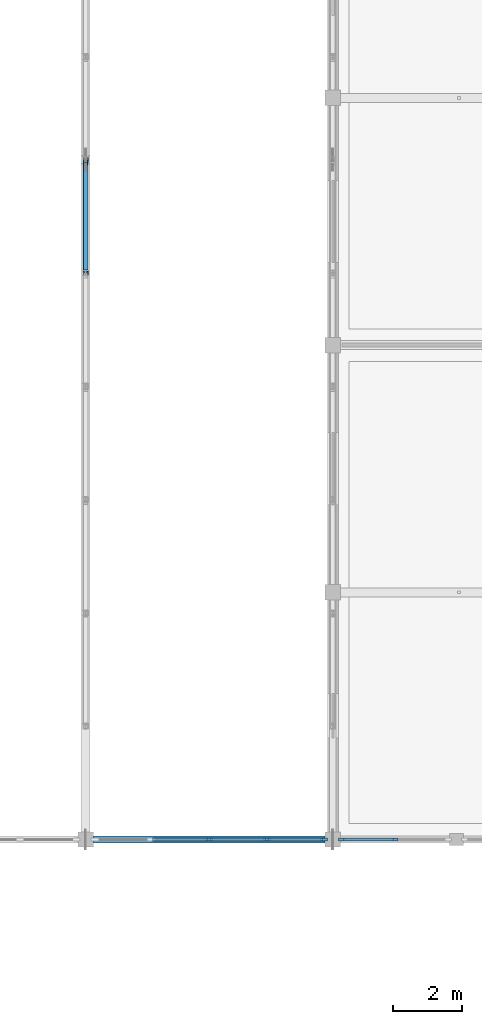
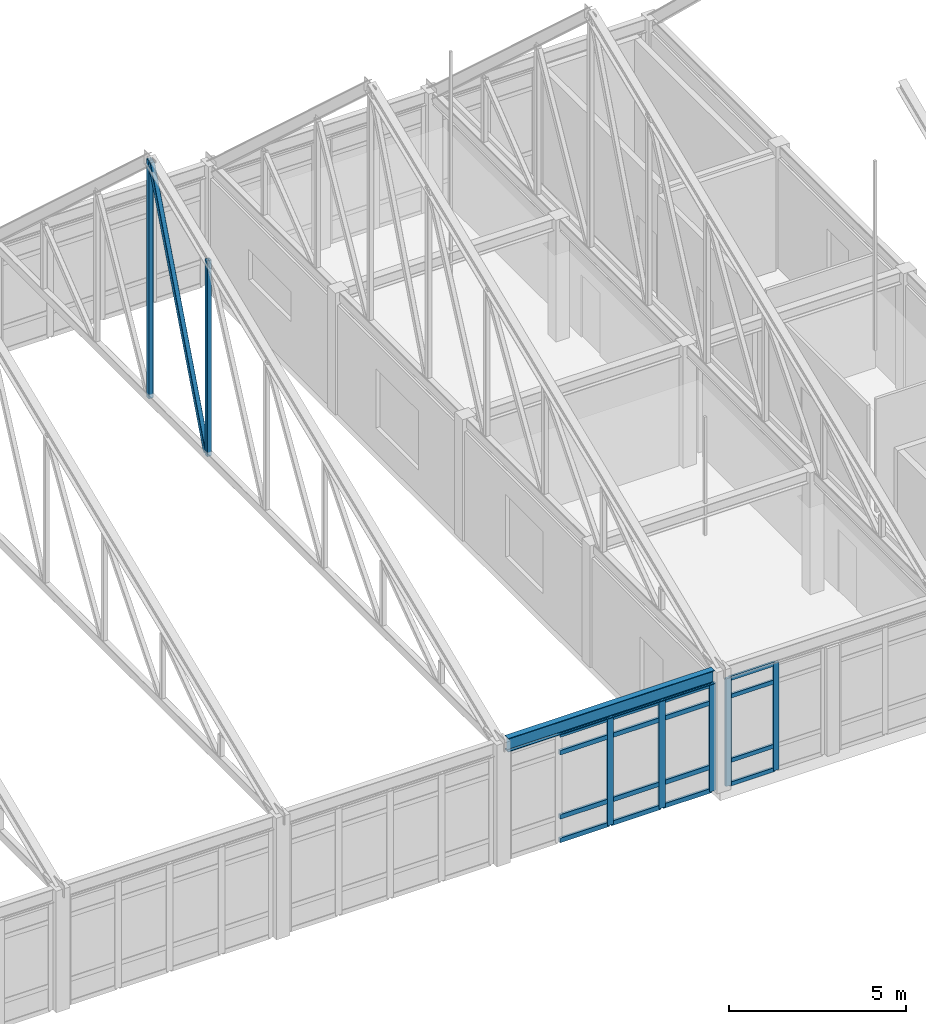
# One storey, part 30 of 136: 24 members, 1 beam, 2 elements without a shape of their own.
"""IFC4 building model written with IfcOpenShell, lengths in metres."""

from ifc_helpers import new_model, si_unit, direction, frame, origin, origin_2d, place, context, subcontext, project, spatial, rectangle, hollow_rectangle, i_section, extrude, material, layer, layer_set, material_profile, profile_set, type_object, element, aggregate, save


model = new_model("IFC4")

# Units and contexts
model_context = context("Model", 3, precision=1e-05, world=origin(), true_north=direction((0.0, 1.0)))
body_context = subcontext(model_context, "Body", "Model", "MODEL_VIEW")
ifc_project = project(units=[si_unit("LENGTHUNIT", "METRE"), si_unit("AREAUNIT", "SQUARE_METRE"), si_unit("VOLUMEUNIT", "CUBIC_METRE"), si_unit("PLANEANGLEUNIT", "RADIAN"), si_unit("MASSUNIT", "GRAM", prefix="KILO")], contexts=[model_context])

# Site, building, storey
site_placement = place(None, origin())
site = spatial("IfcSite", under=ifc_project, at=site_placement, CompositionType="ELEMENT")
building_placement = place(site_placement, origin())
building = spatial("IfcBuilding", under=site, at=building_placement, Name="Koriwan Promenade Central Fire Station", CompositionType="ELEMENT")
storey_placement = place(building_placement, frame((0.0, 0.0, 5.39990234375)))
storey = spatial("IfcBuildingStorey", under=building, at=storey_placement, Name="L01", CompositionType="ELEMENT", Elevation=5.39990234375)

# Curtain wall, members
ifc_material_1 = material(Name="Aluminium EN AW-6063-T6 and low-E glazing", Category="aluminium")
ifc_layer_1 = layer(ifc_material_1, 0.159912109375, Name="Aluminium EN AW-6063-T6 and low-E glazing")
ifc_layer_set_1 = layer_set([ifc_layer_1], Name="Aluminium EN AW-6063-T6 and low-E glazing")
curtain_wall_type_1 = type_object("IfcCurtainWallType", Name="CurtainWall_01_317x372", PredefinedType="USERDEFINED", material=ifc_layer_set_1)
curtain_wall_1_placement = place(storey_placement, origin())
curtain_wall_1 = element("IfcCurtainWall", 1, at=curtain_wall_1_placement, inside=storey, type_object=curtain_wall_type_1, Name="V1 L01 unitised curtain wall 012", ObjectType="UNITISED CURTAIN WALL", PredefinedType="USERDEFINED")
ifc_material_2 = material(Name="Aluminium EN AW-6063-T6", Category="aluminium")
ifc_material_profile_1 = material_profile(ifc_material_2, rectangle(XDim=0.074951171875, YDim=0.179931640625, at=origin_2d()), Name="ALU-MUL-75x180")
ifc_profile_set_1 = profile_set([ifc_material_profile_1], Name="Aluminium EN AW-6063-T6")
member_type_1 = type_object("IfcMemberType", Name="CWMullion_ALU-MUL-75x180", PredefinedType="MULLION", material=ifc_profile_set_1)
member_1_placement = place(storey_placement, frame((102.612548828125, 43.199951171875, 0.0), z_axis=(0.0, 0.0, 1.0), x_axis=(0.0, -1.0, 0.0)))
member_1 = element("IfcMember", 2, at=member_1_placement, type_object=member_type_1, Name="CW-01 mullion 2", PredefinedType="MULLION", context=body_context, shape_type="SweptSolid", body=[
    extrude(rectangle(XDim=0.074951171875, YDim=0.179931640625, at=origin_2d()), origin(), (0.0, 0.0, 1.0), 3.72119140625),
])
member_2_placement = place(storey_placement, frame((101.0625, 43.199951171875, 0.0), z_axis=(0.0, 0.0, 1.0), x_axis=(0.0, -1.0, 0.0)))
member_2 = element("IfcMember", 3, at=member_2_placement, type_object=member_type_1, Name="CW-01 mullion 3", PredefinedType="MULLION", context=body_context, shape_type="SweptSolid", body=[
    extrude(rectangle(XDim=0.074951171875, YDim=0.179931640625, at=origin_2d()), origin(), (0.0, 0.0, 1.0), 3.72119140625),
])

ifc_layer_2 = layer(ifc_material_1, 0.159912109375, Name="Aluminium EN AW-6063-T6 and low-E glazing")
ifc_layer_set_2 = layer_set([ifc_layer_2], Name="Aluminium EN AW-6063-T6 and low-E glazing")
curtain_wall_type_2 = type_object("IfcCurtainWallType", Name="CurtainWall_93_675x372", PredefinedType="USERDEFINED", material=ifc_layer_set_2)
curtain_wall_2_placement = place(storey_placement, origin())
curtain_wall_2 = element("IfcCurtainWall", 4, at=curtain_wall_2_placement, inside=storey, type_object=curtain_wall_type_2, Name="V1 L01 unitised curtain wall 297", ObjectType="UNITISED CURTAIN WALL", PredefinedType="USERDEFINED")
ifc_material_profile_2 = material_profile(ifc_material_2, rectangle(XDim=0.080078125, YDim=0.2099609375, at=origin_2d()), Name="ALU-MUL-80x210")
ifc_profile_set_2 = profile_set([ifc_material_profile_2], Name="Aluminium EN AW-6063-T6")
member_type_2 = type_object("IfcMemberType", Name="CWMullion_ALU-MUL-80x210", PredefinedType="MULLION", material=ifc_profile_set_2)
member_3_placement = place(storey_placement, frame((97.199951171875, 43.199951171875, 0.0), z_axis=(0.0, 0.0, 1.0), x_axis=(0.0, 1.0, 0.0)))
member_3 = element("IfcMember", 5, at=member_3_placement, type_object=member_type_2, Name="CW-93 mullion 3", PredefinedType="MULLION", context=body_context, shape_type="SweptSolid", body=[
    extrude(rectangle(XDim=0.080078125, YDim=0.2099609375, at=origin_2d()), origin(), (0.0, 0.0, 1.0), 3.72119140625),
])
member_4_placement = place(storey_placement, frame((98.887451171875, 43.199951171875, 0.0), z_axis=(0.0, 0.0, 1.0), x_axis=(0.0, 1.0, 0.0)))
member_4 = element("IfcMember", 6, at=member_4_placement, type_object=member_type_2, Name="CW-93 mullion 4", PredefinedType="MULLION", context=body_context, shape_type="SweptSolid", body=[
    extrude(rectangle(XDim=0.080078125, YDim=0.2099609375, at=origin_2d()), origin(), (0.0, 0.0, 1.0), 3.72119140625),
])
member_5_placement = place(storey_placement, frame((100.534912109375, 43.199951171875, 0.0), z_axis=(0.0, 0.0, 1.0), x_axis=(0.0, 1.0, 0.0)))
member_5 = element("IfcMember", 7, at=member_5_placement, type_object=member_type_2, Name="CW-93 mullion 5", PredefinedType="MULLION", context=body_context, shape_type="SweptSolid", body=[
    extrude(rectangle(XDim=0.080078125, YDim=0.2099609375, at=origin_2d()), origin(), (0.0, 0.0, 1.0), 3.72119140625),
])

# Member
ifc_material_profile_3 = material_profile(ifc_material_2, rectangle(XDim=0.074951171875, YDim=0.139892578125, at=origin_2d()), Name="ALU-TRN-75x140")
ifc_profile_set_3 = profile_set([ifc_material_profile_3], Name="Aluminium EN AW-6063-T6")
member_type_3 = type_object("IfcMemberType", Name="CWTransom_ALU-TRN-75x140", PredefinedType="USERDEFINED", material=ifc_profile_set_3)
member_6_placement = place(storey_placement, frame((102.574951171875, 43.199951171875, 0.03759765625), z_axis=(-1.0, 0.0, 0.0), x_axis=(0.0, -1.0, 0.0)))
member_6 = element("IfcMember", 8, at=member_6_placement, type_object=member_type_3, Name="CW-01 transom 2.1", ObjectType="TRANSOM", PredefinedType="USERDEFINED", context=body_context, shape_type="SweptSolid", body=[
    extrude(rectangle(XDim=0.074951171875, YDim=0.139892578125, at=origin_2d()), origin(), (0.0, 0.0, 1.0), 1.474853515625),
])

member_7_placement = place(storey_placement, frame((102.574951171875, 43.199951171875, 0.85009765625), z_axis=(-1.0, 0.0, 0.0), x_axis=(0.0, -1.0, 0.0)))
member_7 = element("IfcMember", 9, at=member_7_placement, type_object=member_type_3, Name="CW-01 transom 2.2", ObjectType="TRANSOM", PredefinedType="USERDEFINED", context=body_context, shape_type="SweptSolid", body=[
    extrude(rectangle(XDim=0.074951171875, YDim=0.139892578125, at=origin_2d()), origin(), (0.0, 0.0, 1.0), 1.474853515625),
])

member_8_placement = place(storey_placement, frame((102.574951171875, 43.199951171875, 3.071044921875), z_axis=(-1.0, 0.0, 0.0), x_axis=(0.0, -1.0, 0.0)))
member_8 = element("IfcMember", 10, at=member_8_placement, type_object=member_type_3, Name="CW-01 transom 2.3", ObjectType="TRANSOM", PredefinedType="USERDEFINED", context=body_context, shape_type="SweptSolid", body=[
    extrude(rectangle(XDim=0.074951171875, YDim=0.139892578125, at=origin_2d()), origin(), (0.0, 0.0, 1.0), 1.474853515625),
])

member_9_placement = place(storey_placement, frame((102.574951171875, 43.199951171875, 3.68359375), z_axis=(-1.0, 0.0, 0.0), x_axis=(0.0, -1.0, 0.0)))
member_9 = element("IfcMember", 11, at=member_9_placement, type_object=member_type_3, Name="CW-01 transom 2.4", ObjectType="TRANSOM", PredefinedType="USERDEFINED", context=body_context, shape_type="SweptSolid", body=[
    extrude(rectangle(XDim=0.074951171875, YDim=0.139892578125, at=origin_2d()), origin(), (0.0, 0.0, 1.0), 1.474853515625),
])

aggregate(curtain_wall_1, [member_1, member_2, member_6, member_7, member_8, member_9])

ifc_material_profile_4 = material_profile(ifc_material_2, rectangle(XDim=0.080078125, YDim=0.155029296875, at=origin_2d()), Name="ALU-TRN-80x155")
ifc_profile_set_4 = profile_set([ifc_material_profile_4], Name="Aluminium EN AW-6063-T6")
member_type_4 = type_object("IfcMemberType", Name="CWTransom_ALU-TRN-80x155", PredefinedType="USERDEFINED", material=ifc_profile_set_4)
member_10_placement = place(storey_placement, frame((95.552490234375, 43.199951171875, 0.0400390625), z_axis=(1.0, 0.0, 0.0), x_axis=(0.0, 1.0, 0.0)))
member_10 = element("IfcMember", 12, at=member_10_placement, type_object=member_type_4, Name="CW-93 transom 2.1", ObjectType="TRANSOM", PredefinedType="USERDEFINED", context=body_context, shape_type="SweptSolid", body=[
    extrude(rectangle(XDim=0.080078125, YDim=0.155029296875, at=origin_2d()), origin(), (0.0, 0.0, 1.0), 1.607421875),
])

member_11_placement = place(storey_placement, frame((95.552490234375, 43.199951171875, 0.85009765625), z_axis=(1.0, 0.0, 0.0), x_axis=(0.0, 1.0, 0.0)))
member_11 = element("IfcMember", 13, at=member_11_placement, type_object=member_type_4, Name="CW-93 transom 2.2", ObjectType="TRANSOM", PredefinedType="USERDEFINED", context=body_context, shape_type="SweptSolid", body=[
    extrude(rectangle(XDim=0.080078125, YDim=0.155029296875, at=origin_2d()), origin(), (0.0, 0.0, 1.0), 1.607421875),
])

member_12_placement = place(storey_placement, frame((95.552490234375, 43.199951171875, 3.071044921875), z_axis=(1.0, 0.0, 0.0), x_axis=(0.0, 1.0, 0.0)))
member_12 = element("IfcMember", 14, at=member_12_placement, type_object=member_type_4, Name="CW-93 transom 2.3", ObjectType="TRANSOM", PredefinedType="USERDEFINED", context=body_context, shape_type="SweptSolid", body=[
    extrude(rectangle(XDim=0.080078125, YDim=0.155029296875, at=origin_2d()), origin(), (0.0, 0.0, 1.0), 1.607421875),
])

member_13_placement = place(storey_placement, frame((95.552490234375, 43.199951171875, 3.68115234375), z_axis=(1.0, 0.0, 0.0), x_axis=(0.0, 1.0, 0.0)))
member_13 = element("IfcMember", 15, at=member_13_placement, type_object=member_type_4, Name="CW-93 transom 2.4", ObjectType="TRANSOM", PredefinedType="USERDEFINED", context=body_context, shape_type="SweptSolid", body=[
    extrude(rectangle(XDim=0.080078125, YDim=0.155029296875, at=origin_2d()), origin(), (0.0, 0.0, 1.0), 1.607421875),
])

member_14_placement = place(storey_placement, frame((97.239990234375, 43.199951171875, 0.0400390625), z_axis=(1.0, 0.0, 0.0), x_axis=(0.0, 1.0, 0.0)))
member_14 = element("IfcMember", 16, at=member_14_placement, type_object=member_type_4, Name="CW-93 transom 3.1", ObjectType="TRANSOM", PredefinedType="USERDEFINED", context=body_context, shape_type="SweptSolid", body=[
    extrude(rectangle(XDim=0.080078125, YDim=0.155029296875, at=origin_2d()), origin(), (0.0, 0.0, 1.0), 1.607421875),
])

member_15_placement = place(storey_placement, frame((97.239990234375, 43.199951171875, 0.85009765625), z_axis=(1.0, 0.0, 0.0), x_axis=(0.0, 1.0, 0.0)))
member_15 = element("IfcMember", 17, at=member_15_placement, type_object=member_type_4, Name="CW-93 transom 3.2", ObjectType="TRANSOM", PredefinedType="USERDEFINED", context=body_context, shape_type="SweptSolid", body=[
    extrude(rectangle(XDim=0.080078125, YDim=0.155029296875, at=origin_2d()), origin(), (0.0, 0.0, 1.0), 1.607421875),
])

member_16_placement = place(storey_placement, frame((97.239990234375, 43.199951171875, 3.071044921875), z_axis=(1.0, 0.0, 0.0), x_axis=(0.0, 1.0, 0.0)))
member_16 = element("IfcMember", 18, at=member_16_placement, type_object=member_type_4, Name="CW-93 transom 3.3", ObjectType="TRANSOM", PredefinedType="USERDEFINED", context=body_context, shape_type="SweptSolid", body=[
    extrude(rectangle(XDim=0.080078125, YDim=0.155029296875, at=origin_2d()), origin(), (0.0, 0.0, 1.0), 1.607421875),
])

member_17_placement = place(storey_placement, frame((97.239990234375, 43.199951171875, 3.68115234375), z_axis=(1.0, 0.0, 0.0), x_axis=(0.0, 1.0, 0.0)))
member_17 = element("IfcMember", 19, at=member_17_placement, type_object=member_type_4, Name="CW-93 transom 3.4", ObjectType="TRANSOM", PredefinedType="USERDEFINED", context=body_context, shape_type="SweptSolid", body=[
    extrude(rectangle(XDim=0.080078125, YDim=0.155029296875, at=origin_2d()), origin(), (0.0, 0.0, 1.0), 1.607421875),
])

member_18_placement = place(storey_placement, frame((98.927490234375, 43.199951171875, 0.0400390625), z_axis=(1.0, 0.0, 0.0), x_axis=(0.0, 1.0, 0.0)))
member_18 = element("IfcMember", 20, at=member_18_placement, type_object=member_type_4, Name="CW-93 transom 4.1", ObjectType="TRANSOM", PredefinedType="USERDEFINED", context=body_context, shape_type="SweptSolid", body=[
    extrude(rectangle(XDim=0.080078125, YDim=0.155029296875, at=origin_2d()), origin(), (0.0, 0.0, 1.0), 1.567626953125),
])

member_19_placement = place(storey_placement, frame((98.927490234375, 43.199951171875, 0.85009765625), z_axis=(1.0, 0.0, 0.0), x_axis=(0.0, 1.0, 0.0)))
member_19 = element("IfcMember", 21, at=member_19_placement, type_object=member_type_4, Name="CW-93 transom 4.2", ObjectType="TRANSOM", PredefinedType="USERDEFINED", context=body_context, shape_type="SweptSolid", body=[
    extrude(rectangle(XDim=0.080078125, YDim=0.155029296875, at=origin_2d()), origin(), (0.0, 0.0, 1.0), 1.567626953125),
])

member_20_placement = place(storey_placement, frame((98.927490234375, 43.199951171875, 3.071044921875), z_axis=(1.0, 0.0, 0.0), x_axis=(0.0, 1.0, 0.0)))
member_20 = element("IfcMember", 22, at=member_20_placement, type_object=member_type_4, Name="CW-93 transom 4.3", ObjectType="TRANSOM", PredefinedType="USERDEFINED", context=body_context, shape_type="SweptSolid", body=[
    extrude(rectangle(XDim=0.080078125, YDim=0.155029296875, at=origin_2d()), origin(), (0.0, 0.0, 1.0), 1.567626953125),
])

member_21_placement = place(storey_placement, frame((98.927490234375, 43.199951171875, 3.68115234375), z_axis=(1.0, 0.0, 0.0), x_axis=(0.0, 1.0, 0.0)))
member_21 = element("IfcMember", 23, at=member_21_placement, type_object=member_type_4, Name="CW-93 transom 4.4", ObjectType="TRANSOM", PredefinedType="USERDEFINED", context=body_context, shape_type="SweptSolid", body=[
    extrude(rectangle(XDim=0.080078125, YDim=0.155029296875, at=origin_2d()), origin(), (0.0, 0.0, 1.0), 1.567626953125),
])

aggregate(curtain_wall_2, [member_3, member_4, member_5, member_10, member_11, member_12, member_13, member_14, member_15, member_16, member_17, member_18, member_19, member_20, member_21])

# Members
ifc_material_3 = material(Name="Steel ASTM A500 Grade C", Category="steel")
ifc_material_profile_5 = material_profile(ifc_material_3, hollow_rectangle(XDim=0.14990234375, YDim=0.14990234375, WallThickness=0.008056640625, InnerFilletRadius=0.008056640625, OuterFilletRadius=0.01611328125, at=origin_2d()), Name="HSS150x150x8")
ifc_profile_set_5 = profile_set([ifc_material_profile_5], Name="Steel ASTM A500 Grade C")
member_type_5 = type_object("IfcMemberType", Name="Member_STRUT_HSS150x150x8", PredefinedType="STRUT", material=ifc_profile_set_5)
member_22_placement = place(storey_placement, frame((93.60009765625, 59.699951171875, 4.02001953125), z_axis=(0.0, 0.0, 1.0), x_axis=(1.0, 0.0, 0.0)))
element("IfcMember", 24, at=member_22_placement, inside=storey, type_object=member_type_5, Name="TR_V1_06 vertical 5", PredefinedType="STRUT", context=body_context, shape_type="SweptSolid", body=[
    extrude(hollow_rectangle(XDim=0.14990234375, YDim=0.14990234375, WallThickness=0.008056640625, InnerFilletRadius=0.008056640625, OuterFilletRadius=0.01611328125, at=origin_2d()), origin(), (0.0, 0.0, 1.0), 6.753662109375),
])
member_23_placement = place(storey_placement, frame((93.60009765625, 63.0, 4.02001953125), z_axis=(0.0, 0.0, 1.0), x_axis=(1.0, 0.0, 0.0)))
element("IfcMember", 25, at=member_23_placement, inside=storey, type_object=member_type_5, Name="TR_V1_06 vertical 6", PredefinedType="STRUT", context=body_context, shape_type="SweptSolid", body=[
    extrude(hollow_rectangle(XDim=0.14990234375, YDim=0.14990234375, WallThickness=0.008056640625, InnerFilletRadius=0.008056640625, OuterFilletRadius=0.01611328125, at=origin_2d()), origin(), (0.0, 0.0, 1.0), 8.220458984375),
])
member_24_placement = place(storey_placement, frame((93.60009765625, 59.780029296875, 4.070068359375), z_axis=(0.0, 0.360647144455, 0.932702330434), x_axis=(-1.0, 0.0, 0.0)))
element("IfcMember", 26, at=member_24_placement, inside=storey, type_object=member_type_5, Name="TR_V1_06 web diagonal 6", PredefinedType="STRUT", context=body_context, shape_type="SweptSolid", body=[
    extrude(hollow_rectangle(XDim=0.14990234375, YDim=0.14990234375, WallThickness=0.008056640625, InnerFilletRadius=0.008056640625, OuterFilletRadius=0.01611328125, at=origin_2d()), origin(), (0.0, 0.0, 1.0), 8.706298828125),
])

# Beam
ifc_material_4 = material(Name="Steel ASTM A992 Grade 50", Category="steel")
ifc_material_profile_6 = material_profile(ifc_material_4, i_section(OverallWidth=0.194091796875, OverallDepth=0.468994140625, WebThickness=0.0126953125, FlangeThickness=0.0205078125, FilletRadius=0.01806640625, at=origin_2d()), Name="W460x106")
ifc_profile_set_6 = profile_set([ifc_material_profile_6], Name="Steel ASTM A992 Grade 50")
beam_type = type_object("IfcBeamType", Name="SteelBeam_W460x106", PredefinedType="BEAM", material=ifc_profile_set_6)
beam_placement = place(storey_placement, frame((93.824951171875, 43.199951171875, 3.965576171875), z_axis=(1.0, 0.0, 0.0), x_axis=(0.0, 1.0, 0.0)))
element("IfcBeam", 27, at=beam_placement, inside=storey, type_object=beam_type, Name="V1 L01 girder X-45", PredefinedType="BEAM", context=body_context, shape_type="SweptSolid", body=[
    extrude(i_section(OverallWidth=0.194091796875, OverallDepth=0.468994140625, WebThickness=0.0126953125, FlangeThickness=0.0205078125, FilletRadius=0.01806640625, at=origin_2d()), origin(), (0.0, 0.0, 1.0), 6.75),
])

save(model, "model.ifc")
